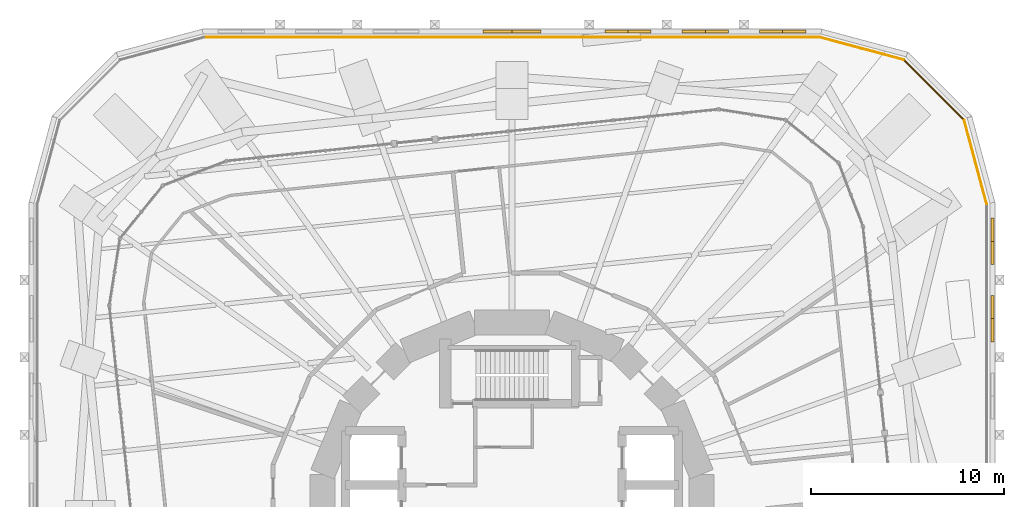
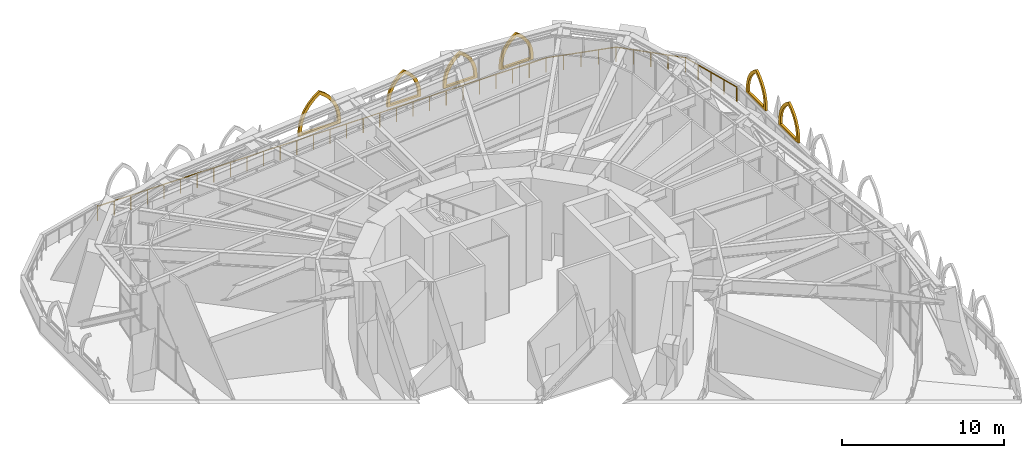
# One storey, part 19 of 20: 6 shading devices, 4 railings.
"""IFC4 building model written with IfcOpenShell, lengths in metres."""

from ifc_helpers import new_model, si_unit, direction, frame, origin, origin_2d, place, context, subcontext, project, spatial, polyline, circle, outline, extrude, material, type_object, element, save


model = new_model("IFC4")

# Units and contexts
model_context = context("Model", 3, precision=1e-05, world=origin(), true_north=direction((0.0, 1.0)))
body_context = subcontext(model_context, "Body", "Model", "MODEL_VIEW")
ifc_project = project(units=[si_unit("LENGTHUNIT", "METRE"), si_unit("AREAUNIT", "SQUARE_METRE"), si_unit("VOLUMEUNIT", "CUBIC_METRE"), si_unit("PLANEANGLEUNIT", "RADIAN"), si_unit("MASSUNIT", "GRAM", prefix="KILO")], contexts=[model_context])

# Site, building, storey
site_placement = place(None, origin())
site = spatial("IfcSite", under=ifc_project, at=site_placement, CompositionType="ELEMENT")
building_placement = place(site_placement, origin())
building = spatial("IfcBuilding", under=site, at=building_placement, Name="Nakasero Lantern House", CompositionType="ELEMENT")
storey_placement = place(building_placement, frame((0.0, 0.0, 54.5)))
storey = spatial("IfcBuildingStorey", under=building, at=storey_placement, Name="L13", CompositionType="ELEMENT", Elevation=54.5)

# Shading devices
ifc_material_1 = material(Name="Aluminium 6063-T6", Category="aluminium")
shading_device_type_1 = type_object("IfcShadingDeviceType", Name="Lancet screen 2400", PredefinedType="USERDEFINED", material=ifc_material_1)
for number, where, z_axis, x_axis, name in (
    (1, (24.85009765625, 10.0, 1.10009765625), (0.0, 0.0, 1.0), (0.0, 1.0, 0.0), "Tracery screen L13 0-05"),
    (2, (24.85009765625, 14.0, 1.10009765625), (0.0, 0.0, 1.0), (0.0, 1.0, 0.0), "Tracery screen L13 0-06"),
    (3, (14.0, 24.85009765625, 1.10009765625), (0.0, 0.0, 1.0), (-1.0, 0.0, 0.0), "Tracery screen L13 1-00"),
    (4, (10.0, 24.85009765625, 1.10009765625), (0.0, 0.0, 1.0), (-1.0, 0.0, 0.0), "Tracery screen L13 1-01"),
    (5, (6.0, 24.85009765625, 1.10009765625), (0.0, 0.0, 1.0), (-1.0, 0.0, 0.0), "Tracery screen L13 1-02"),
):
    element("IfcShadingDevice", number, at=place(storey_placement, frame(where, z_axis=z_axis, x_axis=x_axis)), inside=storey, type_object=shading_device_type_1, Name=name, ObjectType="LANCET SCREEN", PredefinedType="USERDEFINED", context=body_context, shape_type="SweptSolid", body=[
        extrude(outline(polyline([(-1.199951171875, 0.0), (1.199951171875, 0.0), (1.199951171875, 0.300048828125), (1.16357421875, 0.716796875), (1.05517578125, 1.120849609375), (0.87841796875, 1.5), (0.638427734375, 1.8427734375), (0.3427734375, 2.138427734375), (0.0, 2.37841796875), (-0.3427734375, 2.138427734375), (-0.638427734375, 1.8427734375), (-0.87841796875, 1.5), (-1.05517578125, 1.120849609375), (-1.16357421875, 0.716796875), (-1.199951171875, 0.300048828125), (-1.199951171875, 0.0)]), holes=[polyline([(-0.97998046875, 0.14990234375), (0.97998046875, 0.14990234375), (0.97998046875, 0.300048828125), (0.950439453125, 0.6572265625), (0.86279296875, 1.0048828125), (0.719482421875, 1.33349609375), (0.524169921875, 1.63427734375), (0.281982421875, 1.898681640625), (0.0, 2.1201171875), (-0.281982421875, 1.898681640625), (-0.524169921875, 1.63427734375), (-0.719482421875, 1.33349609375), (-0.86279296875, 1.0048828125), (-0.950439453125, 0.6572265625), (-0.97998046875, 0.300048828125), (-0.97998046875, 0.14990234375)])]), frame((0.0, 0.074951171875, 0.0), z_axis=(0.0, -1.0, 0.0), x_axis=(1.0, 0.0, 0.0)), (0.0, 0.0, 1.0), 0.14990234375),
    ])
ifc_material_2 = material(Name="Aluminium 6063-T6", Category="aluminium")
shading_device_type_2 = type_object("IfcShadingDeviceType", Name="Lancet screen 3000", PredefinedType="USERDEFINED", material=ifc_material_2)
shading_device_placement = place(storey_placement, frame((0.0, 24.85009765625, 1.10009765625), z_axis=(0.0, 0.0, 1.0), x_axis=(-1.0, 0.0, 0.0)))
element("IfcShadingDevice", 6, at=shading_device_placement, inside=storey, type_object=shading_device_type_2, Name="Tracery screen L13 1-03", ObjectType="LANCET SCREEN", PredefinedType="USERDEFINED", context=body_context, shape_type="SweptSolid", body=[
    extrude(outline(polyline([(-1.5, 0.0), (1.5, 0.0), (1.5, 0.300048828125), (1.454345703125, 0.821044921875), (1.319091796875, 1.326171875), (1.09814453125, 1.800048828125), (0.798095703125, 2.228271484375), (0.428466796875, 2.59814453125), (0.0, 2.898193359375), (-0.428466796875, 2.59814453125), (-0.798095703125, 2.228271484375), (-1.09814453125, 1.800048828125), (-1.319091796875, 1.326171875), (-1.454345703125, 0.821044921875), (-1.5, 0.300048828125), (-1.5, 0.0)]), holes=[polyline([(-1.280029296875, 0.14990234375), (1.280029296875, 0.14990234375), (1.280029296875, 0.300048828125), (1.241455078125, 0.761474609375), (1.126708984375, 1.21044921875), (0.939208984375, 1.6337890625), (0.683837890625, 2.020263671875), (0.367919921875, 2.359130859375), (0.0, 2.640625), (-0.367919921875, 2.359130859375), (-0.683837890625, 2.020263671875), (-0.939208984375, 1.6337890625), (-1.126708984375, 1.21044921875), (-1.241455078125, 0.761474609375), (-1.280029296875, 0.300048828125), (-1.280029296875, 0.14990234375)])]), frame((0.0, 0.074951171875, 0.0), z_axis=(0.0, -1.0, 0.0), x_axis=(1.0, 0.0, 0.0)), (0.0, 0.0, 1.0), 0.14990234375),
])

# Railings
ifc_material_3 = material(Name="Aluminium 6063-T6", Category="aluminium")
railing_type = type_object("IfcRailingType", Name="Sky garden guard 1100", PredefinedType="GUARDRAIL", material=ifc_material_3)
railing_1_placement = place(storey_placement, frame((-15.940673828125, 24.550048828125, 0.0)))
element("IfcRailing", 7, at=railing_1_placement, inside=storey, type_object=railing_type, Name="Sky garden guard L13 8", PredefinedType="GUARDRAIL", context=body_context, shape_type="SweptSolid", body=[
    extrude(circle(Radius=0.02392578125, at=origin_2d()), frame((0.0, 0.0, 1.076171875), z_axis=(1.0, 0.0, 0.0), x_axis=(0.0, 1.0, 0.0)), (0.0, 0.0, 1.0), 31.88134765625),
    extrude(circle(Radius=0.02099609375, at=origin_2d()), origin(), (0.0, 0.0, 1.0), 1.052001953125),
    extrude(circle(Radius=0.02099609375, at=origin_2d()), frame((1.180908203125, 0.0, 0.0)), (0.0, 0.0, 1.0), 1.052001953125),
    extrude(circle(Radius=0.02099609375, at=origin_2d()), frame((2.361572265625, 0.0, 0.0)), (0.0, 0.0, 1.0), 1.052001953125),
    extrude(circle(Radius=0.02099609375, at=origin_2d()), frame((3.54248046875, 0.0, 0.0)), (0.0, 0.0, 1.0), 1.052001953125),
    extrude(circle(Radius=0.02099609375, at=origin_2d()), frame((4.72314453125, 0.0, 0.0)), (0.0, 0.0, 1.0), 1.052001953125),
    extrude(circle(Radius=0.02099609375, at=origin_2d()), frame((5.904052734375, 0.0, 0.0)), (0.0, 0.0, 1.0), 1.052001953125),
    extrude(circle(Radius=0.02099609375, at=origin_2d()), frame((7.084716796875, 0.0, 0.0)), (0.0, 0.0, 1.0), 1.052001953125),
    extrude(circle(Radius=0.02099609375, at=origin_2d()), frame((8.265625, 0.0, 0.0)), (0.0, 0.0, 1.0), 1.052001953125),
    extrude(circle(Radius=0.02099609375, at=origin_2d()), frame((9.4462890625, 0.0, 0.0)), (0.0, 0.0, 1.0), 1.052001953125),
    extrude(circle(Radius=0.02099609375, at=origin_2d()), frame((10.627197265625, 0.0, 0.0)), (0.0, 0.0, 1.0), 1.052001953125),
    extrude(circle(Radius=0.02099609375, at=origin_2d()), frame((11.807861328125, 0.0, 0.0)), (0.0, 0.0, 1.0), 1.052001953125),
    extrude(circle(Radius=0.02099609375, at=origin_2d()), frame((12.98876953125, 0.0, 0.0)), (0.0, 0.0, 1.0), 1.052001953125),
    extrude(circle(Radius=0.02099609375, at=origin_2d()), frame((14.16943359375, 0.0, 0.0)), (0.0, 0.0, 1.0), 1.052001953125),
    extrude(circle(Radius=0.02099609375, at=origin_2d()), frame((15.350341796875, 0.0, 0.0)), (0.0, 0.0, 1.0), 1.052001953125),
    extrude(circle(Radius=0.02099609375, at=origin_2d()), frame((16.531005859375, 0.0, 0.0)), (0.0, 0.0, 1.0), 1.052001953125),
    extrude(circle(Radius=0.02099609375, at=origin_2d()), frame((17.7119140625, 0.0, 0.0)), (0.0, 0.0, 1.0), 1.052001953125),
    extrude(circle(Radius=0.02099609375, at=origin_2d()), frame((18.892578125, 0.0, 0.0)), (0.0, 0.0, 1.0), 1.052001953125),
    extrude(circle(Radius=0.02099609375, at=origin_2d()), frame((20.073486328125, 0.0, 0.0)), (0.0, 0.0, 1.0), 1.052001953125),
    extrude(circle(Radius=0.02099609375, at=origin_2d()), frame((21.254150390625, 0.0, 0.0)), (0.0, 0.0, 1.0), 1.052001953125),
    extrude(circle(Radius=0.02099609375, at=origin_2d()), frame((22.43505859375, 0.0, 0.0)), (0.0, 0.0, 1.0), 1.052001953125),
    extrude(circle(Radius=0.02099609375, at=origin_2d()), frame((23.61572265625, 0.0, 0.0)), (0.0, 0.0, 1.0), 1.052001953125),
    extrude(circle(Radius=0.02099609375, at=origin_2d()), frame((24.796630859375, 0.0, 0.0)), (0.0, 0.0, 1.0), 1.052001953125),
    extrude(circle(Radius=0.02099609375, at=origin_2d()), frame((25.977294921875, 0.0, 0.0)), (0.0, 0.0, 1.0), 1.052001953125),
    extrude(circle(Radius=0.02099609375, at=origin_2d()), frame((27.158203125, 0.0, 0.0)), (0.0, 0.0, 1.0), 1.052001953125),
    extrude(circle(Radius=0.02099609375, at=origin_2d()), frame((28.3388671875, 0.0, 0.0)), (0.0, 0.0, 1.0), 1.052001953125),
    extrude(circle(Radius=0.02099609375, at=origin_2d()), frame((29.519775390625, 0.0, 0.0)), (0.0, 0.0, 1.0), 1.052001953125),
    extrude(circle(Radius=0.02099609375, at=origin_2d()), frame((30.700439453125, 0.0, 0.0)), (0.0, 0.0, 1.0), 1.052001953125),
    extrude(circle(Radius=0.02099609375, at=origin_2d()), frame((31.88134765625, 0.0, 0.0)), (0.0, 0.0, 1.0), 1.052001953125),
])
railing_2_placement = place(storey_placement, frame((15.940673828125, 24.550048828125, 0.0)))
element("IfcRailing", 8, at=railing_2_placement, inside=storey, type_object=railing_type, Name="Sky garden guard L13 10", PredefinedType="GUARDRAIL", context=body_context, shape_type="SweptSolid", body=[
    extrude(circle(Radius=0.02392578125, at=origin_2d()), frame((0.0, 0.0, 1.076171875), z_axis=(0.965930290855, -0.258802382539, 0.0), x_axis=(0.258802382539, 0.965930290855, 0.0)), (0.0, 0.0, 1.0), 4.47900390625),
    extrude(circle(Radius=0.02099609375, at=origin_2d()), origin(), (0.0, 0.0, 1.0), 1.052001953125),
    extrude(circle(Radius=0.02099609375, at=origin_2d()), frame((1.08154296875, -0.289794921875, 0.0)), (0.0, 0.0, 1.0), 1.052001953125),
    extrude(circle(Radius=0.02099609375, at=origin_2d()), frame((2.1630859375, -0.57958984375, 0.0)), (0.0, 0.0, 1.0), 1.052001953125),
    extrude(circle(Radius=0.02099609375, at=origin_2d()), frame((3.244873046875, -0.869384765625, 0.0)), (0.0, 0.0, 1.0), 1.052001953125),
    extrude(circle(Radius=0.02099609375, at=origin_2d()), frame((4.326416015625, -1.1591796875, 0.0)), (0.0, 0.0, 1.0), 1.052001953125),
])
railing_3_placement = place(storey_placement, frame((20.26708984375, 23.390869140625, 0.0)))
element("IfcRailing", 9, at=railing_3_placement, inside=storey, type_object=railing_type, Name="Sky garden guard L13 12", PredefinedType="GUARDRAIL", context=body_context, shape_type="SweptSolid", body=[
    extrude(circle(Radius=0.02392578125, at=origin_2d()), frame((0.0, 0.0, 1.076171875), z_axis=(0.707106781187, -0.707106781187, 0.0), x_axis=(0.707106781187, 0.707106781187, 0.0)), (0.0, 0.0, 1.0), 4.417724609375),
    extrude(circle(Radius=0.02099609375, at=origin_2d()), origin(), (0.0, 0.0, 1.0), 1.052001953125),
    extrude(circle(Radius=0.02099609375, at=origin_2d()), frame((0.781005859375, -0.781005859375, 0.0)), (0.0, 0.0, 1.0), 1.052001953125),
    extrude(circle(Radius=0.02099609375, at=origin_2d()), frame((1.56201171875, -1.56201171875, 0.0)), (0.0, 0.0, 1.0), 1.052001953125),
    extrude(circle(Radius=0.02099609375, at=origin_2d()), frame((2.3427734375, -2.3427734375, 0.0)), (0.0, 0.0, 1.0), 1.052001953125),
    extrude(circle(Radius=0.02099609375, at=origin_2d()), frame((3.123779296875, -3.123779296875, 0.0)), (0.0, 0.0, 1.0), 1.052001953125),
])
railing_4_placement = place(storey_placement, frame((23.390869140625, 20.26708984375, 0.0)))
element("IfcRailing", 10, at=railing_4_placement, inside=storey, type_object=railing_type, Name="Sky garden guard L13 14", PredefinedType="GUARDRAIL", context=body_context, shape_type="SweptSolid", body=[
    extrude(circle(Radius=0.02392578125, at=origin_2d()), frame((0.0, 0.0, 1.076171875), z_axis=(0.258802382539, -0.965930290855, 0.0), x_axis=(0.965930290855, 0.258802382539, 0.0)), (0.0, 0.0, 1.0), 4.47900390625),
    extrude(circle(Radius=0.02099609375, at=origin_2d()), origin(), (0.0, 0.0, 1.0), 1.052001953125),
    extrude(circle(Radius=0.02099609375, at=origin_2d()), frame((0.289794921875, -1.08154296875, 0.0)), (0.0, 0.0, 1.0), 1.052001953125),
    extrude(circle(Radius=0.02099609375, at=origin_2d()), frame((0.57958984375, -2.1630859375, 0.0)), (0.0, 0.0, 1.0), 1.052001953125),
    extrude(circle(Radius=0.02099609375, at=origin_2d()), frame((0.869384765625, -3.244873046875, 0.0)), (0.0, 0.0, 1.0), 1.052001953125),
    extrude(circle(Radius=0.02099609375, at=origin_2d()), frame((1.1591796875, -4.326416015625, 0.0)), (0.0, 0.0, 1.0), 1.052001953125),
])

save(model, "model.ifc")
